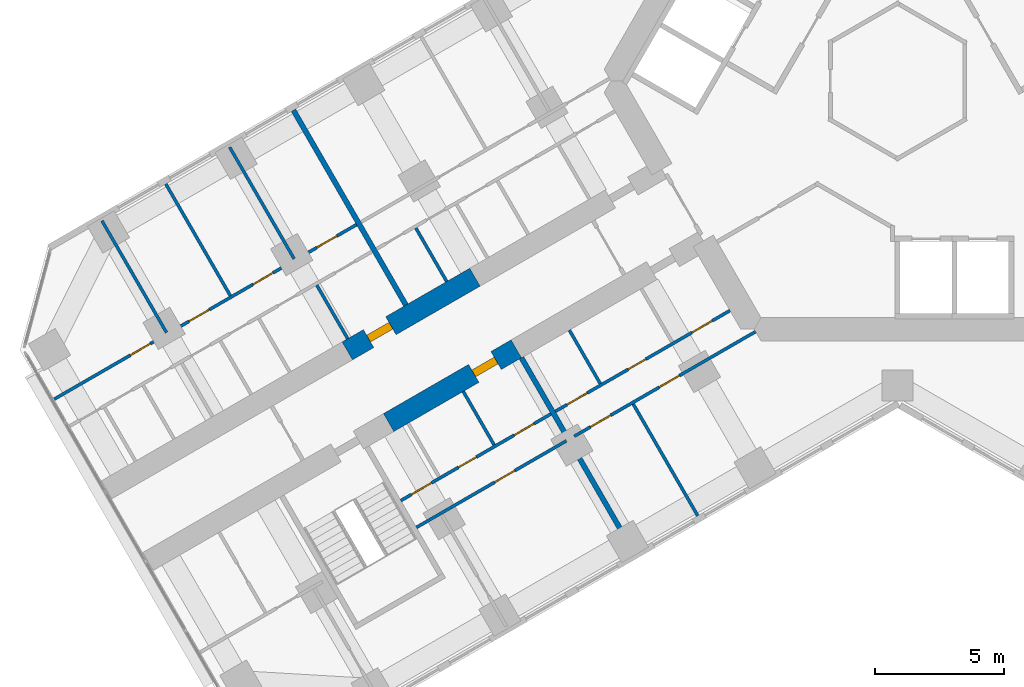
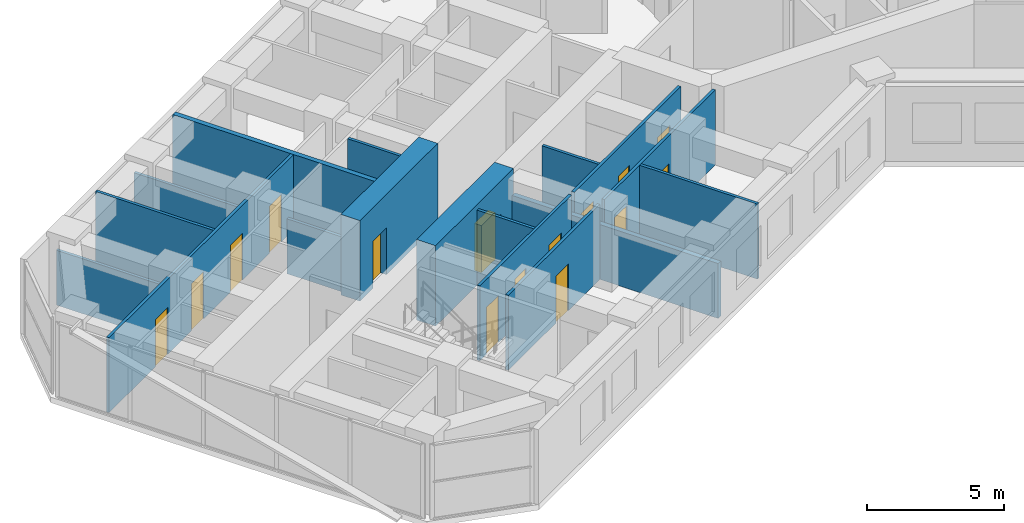
# One storey, part 11 of 20: 17 walls, 15 doors, 15 openings.
"""IFC4 building model written with IfcOpenShell, lengths in metres."""

from ifc_helpers import new_model, si_unit, direction, frame, frame_2d, origin, place, context, subcontext, project, spatial, rectangle, extrude, material, layer, layer_set, type_object, element, fill, save


model = new_model("IFC4")

# Units and contexts
model_context = context("Model", 3, precision=1e-05, world=origin(), true_north=direction((0.0, 1.0)))
body_context = subcontext(model_context, "Body", "Model", "MODEL_VIEW")
ifc_project = project(units=[si_unit("LENGTHUNIT", "METRE"), si_unit("AREAUNIT", "SQUARE_METRE"), si_unit("VOLUMEUNIT", "CUBIC_METRE"), si_unit("PLANEANGLEUNIT", "RADIAN"), si_unit("MASSUNIT", "GRAM", prefix="KILO")], contexts=[model_context])

# Site, building, storey
site_placement = place(None, origin())
site = spatial("IfcSite", under=ifc_project, at=site_placement, CompositionType="ELEMENT")
building_placement = place(site_placement, origin())
building = spatial("IfcBuilding", under=site, at=building_placement, Name="Kosmar Iwan School Tower", CompositionType="ELEMENT")
storey_placement = place(building_placement, frame((0.0, 0.0, 127.39990234375)))
storey = spatial("IfcBuildingStorey", under=building, at=storey_placement, Name="L31", CompositionType="ELEMENT", Elevation=127.39990234375)

# Wall, opening, door
ifc_material_1 = material(Name="Concrete C50/60", Category="concrete")
ifc_layer_1 = layer(ifc_material_1, 0.800048828125)
ifc_layer_set_1 = layer_set([ifc_layer_1], Name="Corridor buttress wall 800")
wall_type_1 = type_object("IfcWallType", Name="Corridor buttress wall 800", PredefinedType="SHEAR", material=ifc_layer_set_1)
wall_1_placement = place(storey_placement, frame((-14.7451171875, -10.360595703125, 0.0), z_axis=(0.0, 0.0, 1.0), x_axis=(-0.866015111908, -0.50001782563, 0.0)))
wall_1 = element("IfcWall", 1, at=wall_1_placement, inside=storey, type_object=wall_type_1, Name="Corridor wall BL bay 2", PredefinedType="SHEAR", context=body_context, shape_type="SweptSolid", body=[
    extrude(rectangle(XDim=5.699951171875, YDim=0.800048828125, at=frame_2d((2.85009765625, 0.0))), origin(), (0.0, 0.0, 1.0), 3.60009765625),
])
opening_1_placement = place(wall_1_placement, frame((0.89990234375, 0.0, 0.0)))
opening_1 = element("IfcOpeningElement", 2, at=opening_1_placement, cuts=wall_1, Name="Opening D1", PredefinedType="OPENING", context=body_context, shape_type="SweptSolid", body=[
    extrude(rectangle(XDim=1.0, YDim=2.10009765625, at=frame_2d((0.5, 1.050048828125))), frame((0.0, 0.412109375, 0.0), z_axis=(0.0, -1.0, 0.0), x_axis=(1.0, 0.0, 0.0)), (0.0, 0.0, 1.0), 0.823974609375),
])
ifc_material_2 = material(Name="Timber fire door in steel frame", Category="steel")
door_type_1 = type_object("IfcDoorType", Name="Flat entrance door 1000x2100", OperationType="SINGLE_SWING_LEFT", PredefinedType="DOOR", material=ifc_material_2)
door_1_placement = place(opening_1_placement, origin())
door_1 = element("IfcDoor", 3, at=door_1_placement, inside=storey, type_object=door_type_1, Name="Flat L31-BL2 entrance door", OperationType="SINGLE_SWING_RIGHT", OverallHeight=2.10009765625, OverallWidth=1.0, PredefinedType="DOOR", context=body_context, shape_type="SweptSolid", body=[
    extrude(rectangle(XDim=1.0, YDim=2.10009765625, at=frame_2d((0.5, 1.050048828125))), frame((0.0, 0.14990234375, 0.0), z_axis=(0.0, -1.0, 0.0), x_axis=(1.0, 0.0, 0.0)), (0.0, 0.0, 1.0), 0.300048828125),
])
fill(opening_1, door_1)

wall_2_placement = place(storey_placement, frame((-16.34521484375, -7.58935546875, 0.0), z_axis=(0.0, 0.0, 1.0), x_axis=(-0.866015111908, -0.50001782563, 0.0)))
wall_2 = element("IfcWall", 4, at=wall_2_placement, inside=storey, type_object=wall_type_1, Name="Corridor wall BR bay 2", PredefinedType="SHEAR", context=body_context, shape_type="SweptSolid", body=[
    extrude(rectangle(XDim=5.699951171875, YDim=0.800048828125, at=frame_2d((2.85009765625, 0.0))), origin(), (0.0, 0.0, 1.0), 3.60009765625),
])
opening_2_placement = place(wall_2_placement, frame((3.75, 0.0, 0.0)))
opening_2 = element("IfcOpeningElement", 5, at=opening_2_placement, cuts=wall_2, Name="Opening D1", PredefinedType="OPENING", context=body_context, shape_type="SweptSolid", body=[
    extrude(rectangle(XDim=1.0, YDim=2.10009765625, at=frame_2d((0.5, 1.050048828125))), frame((0.0, 0.412109375, 0.0), z_axis=(0.0, -1.0, 0.0), x_axis=(1.0, 0.0, 0.0)), (0.0, 0.0, 1.0), 0.823974609375),
])
door_2_placement = place(opening_2_placement, origin())
door_2 = element("IfcDoor", 6, at=door_2_placement, inside=storey, type_object=door_type_1, Name="Flat L31-BR2 entrance door", OperationType="SINGLE_SWING_RIGHT", OverallHeight=2.10009765625, OverallWidth=1.0, PredefinedType="DOOR", context=body_context, shape_type="SweptSolid", body=[
    extrude(rectangle(XDim=1.0, YDim=2.10009765625, at=frame_2d((0.5, 1.050048828125))), frame((0.0, 0.14990234375, 0.0), z_axis=(0.0, -1.0, 0.0), x_axis=(1.0, 0.0, 0.0)), (0.0, 0.0, 1.0), 0.300048828125),
])
fill(opening_2, door_2)

# Wall, openings, doors
ifc_material_3 = material(Name="Gypsum board on steel studs", Category="steel")
ifc_layer_2 = layer(ifc_material_3, 0.1201171875)
ifc_layer_set_2 = layer_set([ifc_layer_2], Name="Dwelling partition 120")
wall_type_2 = type_object("IfcWallType", Name="Dwelling partition 120", PredefinedType="PARTITIONING", material=ifc_layer_set_2)
wall_3_placement = place(storey_placement, frame((-6.478515625, -8.87890625, 0.0), z_axis=(0.0, 0.0, 1.0), x_axis=(-0.866034953203, -0.499983459557, 0.0)))
wall_3 = element("IfcWall", 7, at=wall_3_placement, inside=storey, type_object=wall_type_2, Name="Partition L31-BL1-W1", PredefinedType="PARTITIONING", context=body_context, shape_type="SweptSolid", body=[
    extrude(rectangle(XDim=7.800048828125, YDim=0.1201171875, at=frame_2d((3.89990234375, 0.0))), origin(), (0.0, 0.0, 1.0), 3.35009765625),
])
opening_3_placement = place(wall_3_placement, frame((0.800048828125, 0.0, 0.0)))
opening_3 = element("IfcOpeningElement", 8, at=opening_3_placement, cuts=wall_3, Name="Opening D2", PredefinedType="OPENING", context=body_context, shape_type="SweptSolid", body=[
    extrude(rectangle(XDim=0.89990234375, YDim=2.10009765625, at=frame_2d((0.449951171875, 1.050048828125))), frame((0.0, 0.072021484375, 0.0), z_axis=(0.0, -1.0, 0.0), x_axis=(1.0, 0.0, 0.0)), (0.0, 0.0, 1.0), 0.14404296875),
])
opening_4_placement = place(wall_3_placement, frame((3.755126953125, 0.0, 0.0)))
opening_4 = element("IfcOpeningElement", 9, at=opening_4_placement, cuts=wall_3, Name="Opening D3", PredefinedType="OPENING", context=body_context, shape_type="SweptSolid", body=[
    extrude(rectangle(XDim=0.800048828125, YDim=2.10009765625, at=frame_2d((0.39990234375, 1.050048828125))), frame((0.0, 0.072021484375, 0.0), z_axis=(0.0, -1.0, 0.0), x_axis=(1.0, 0.0, 0.0)), (0.0, 0.0, 1.0), 0.14404296875),
])
opening_5_placement = place(wall_3_placement, frame((6.380126953125, 0.0, 0.0)))
opening_5 = element("IfcOpeningElement", 10, at=opening_5_placement, cuts=wall_3, Name="Opening D2", PredefinedType="OPENING", context=body_context, shape_type="SweptSolid", body=[
    extrude(rectangle(XDim=0.89990234375, YDim=2.10009765625, at=frame_2d((0.449951171875, 1.050048828125))), frame((0.0, 0.072021484375, 0.0), z_axis=(0.0, -1.0, 0.0), x_axis=(1.0, 0.0, 0.0)), (0.0, 0.0, 1.0), 0.14404296875),
])
ifc_material_4 = material(Name="Timber door in timber frame", Category="wood")
door_type_2 = type_object("IfcDoorType", Name="Internal door 900x2100", OperationType="SINGLE_SWING_LEFT", PredefinedType="DOOR", material=ifc_material_4)
door_3_placement = place(opening_3_placement, origin())
door_3 = element("IfcDoor", 11, at=door_3_placement, inside=storey, type_object=door_type_2, Name="Entrance hall door L31-BL1-S1", OperationType="SINGLE_SWING_LEFT", OverallHeight=2.10009765625, OverallWidth=0.89990234375, PredefinedType="DOOR", context=body_context, shape_type="SweptSolid", body=[
    extrude(rectangle(XDim=0.89990234375, YDim=2.10009765625, at=frame_2d((0.449951171875, 1.050048828125))), frame((0.0, 0.02490234375, 0.0), z_axis=(0.0, -1.0, 0.0), x_axis=(1.0, 0.0, 0.0)), (0.0, 0.0, 1.0), 0.050048828125),
])
fill(opening_3, door_3)
door_4_placement = place(opening_5_placement, origin())
door_4 = element("IfcDoor", 12, at=door_4_placement, inside=storey, type_object=door_type_2, Name="Pantry door L31-BL1-S3", OperationType="SINGLE_SWING_RIGHT", OverallHeight=2.10009765625, OverallWidth=0.89990234375, PredefinedType="DOOR", context=body_context, shape_type="SweptSolid", body=[
    extrude(rectangle(XDim=0.89990234375, YDim=2.10009765625, at=frame_2d((0.449951171875, 1.050048828125))), frame((0.0, 0.02490234375, 0.0), z_axis=(0.0, -1.0, 0.0), x_axis=(1.0, 0.0, 0.0)), (0.0, 0.0, 1.0), 0.050048828125),
])
fill(opening_5, door_4)
ifc_material_5 = material(Name="Timber door in timber frame", Category="wood")
door_type_3 = type_object("IfcDoorType", Name="Sanitary room door 800x2100", OperationType="SINGLE_SWING_LEFT", PredefinedType="DOOR", material=ifc_material_5)
door_5_placement = place(opening_4_placement, origin())
door_5 = element("IfcDoor", 13, at=door_5_placement, inside=storey, type_object=door_type_3, Name="Bathroom door L31-BL1-S2", OperationType="SINGLE_SWING_RIGHT", OverallHeight=2.10009765625, OverallWidth=0.800048828125, PredefinedType="DOOR", context=body_context, shape_type="SweptSolid", body=[
    extrude(rectangle(XDim=0.800048828125, YDim=2.10009765625, at=frame_2d((0.39990234375, 1.050048828125))), frame((0.0, 0.02490234375, 0.0), z_axis=(0.0, -1.0, 0.0), x_axis=(1.0, 0.0, 0.0)), (0.0, 0.0, 1.0), 0.050048828125),
])
fill(opening_4, door_5)

wall_4_placement = place(storey_placement, frame((-5.48876953125, -9.693115234375, 0.0), z_axis=(0.0, 0.0, 1.0), x_axis=(-0.866025472755, -0.499999880539, 0.0)))
wall_4 = element("IfcWall", 14, at=wall_4_placement, inside=storey, type_object=wall_type_2, Name="Partition L31-BL1-W2", PredefinedType="PARTITIONING", context=body_context, shape_type="SweptSolid", body=[
    extrude(rectangle(XDim=8.10009765625, YDim=0.1201171875, at=frame_2d((4.050048828125, 0.0))), origin(), (0.0, 0.0, 1.0), 3.35009765625),
])
opening_6_placement = place(wall_4_placement, frame((3.39990234375, 0.0, 0.0)))
opening_6 = element("IfcOpeningElement", 15, at=opening_6_placement, cuts=wall_4, Name="Opening D2", PredefinedType="OPENING", context=body_context, shape_type="SweptSolid", body=[
    extrude(rectangle(XDim=0.89990234375, YDim=2.10009765625, at=frame_2d((0.449951171875, 1.050048828125))), frame((0.0, 0.072021484375, 0.0), z_axis=(0.0, -1.0, 0.0), x_axis=(1.0, 0.0, 0.0)), (0.0, 0.0, 1.0), 0.14404296875),
])
opening_7_placement = place(wall_4_placement, frame((6.47509765625, 0.0, 0.0)))
opening_7 = element("IfcOpeningElement", 16, at=opening_7_placement, cuts=wall_4, Name="Opening D2", PredefinedType="OPENING", context=body_context, shape_type="SweptSolid", body=[
    extrude(rectangle(XDim=0.89990234375, YDim=2.10009765625, at=frame_2d((0.449951171875, 1.050048828125))), frame((0.0, 0.072021484375, 0.0), z_axis=(0.0, -1.0, 0.0), x_axis=(1.0, 0.0, 0.0)), (0.0, 0.0, 1.0), 0.14404296875),
])
door_6_placement = place(opening_6_placement, origin())
door_6 = element("IfcDoor", 17, at=door_6_placement, inside=storey, type_object=door_type_2, Name="Family room and kitchen door L31-BL1-F1", OperationType="SINGLE_SWING_RIGHT", OverallHeight=2.10009765625, OverallWidth=0.89990234375, PredefinedType="DOOR", context=body_context, shape_type="SweptSolid", body=[
    extrude(rectangle(XDim=0.89990234375, YDim=2.10009765625, at=frame_2d((0.449951171875, 1.050048828125))), frame((0.0, 0.02490234375, 0.0), z_axis=(0.0, -1.0, 0.0), x_axis=(1.0, 0.0, 0.0)), (0.0, 0.0, 1.0), 0.050048828125),
])
fill(opening_6, door_6)
door_7_placement = place(opening_7_placement, origin())
door_7 = element("IfcDoor", 18, at=door_7_placement, inside=storey, type_object=door_type_2, Name="Bedroom 1 door L31-BL1-F2", OperationType="SINGLE_SWING_RIGHT", OverallHeight=2.10009765625, OverallWidth=0.89990234375, PredefinedType="DOOR", context=body_context, shape_type="SweptSolid", body=[
    extrude(rectangle(XDim=0.89990234375, YDim=2.10009765625, at=frame_2d((0.449951171875, 1.050048828125))), frame((0.0, 0.02490234375, 0.0), z_axis=(0.0, -1.0, 0.0), x_axis=(1.0, 0.0, 0.0)), (0.0, 0.0, 1.0), 0.050048828125),
])
fill(opening_7, door_7)

# Walls
wall_5_placement = place(storey_placement, frame((-10.221923828125, -12.4951171875, 0.0), z_axis=(0.0, 0.0, 1.0), x_axis=(0.499996339024, -0.86602751744, 0.0)))
element("IfcWall", 19, at=wall_5_placement, inside=storey, type_object=wall_type_2, Name="Partition L31-BL1-X1", PredefinedType="PARTITIONING", context=body_context, shape_type="SweptSolid", body=[
    extrude(rectangle(XDim=4.98974609375, YDim=0.1201171875, at=frame_2d((2.494873046875, 0.0))), origin(), (0.0, 0.0, 1.0), 3.35009765625),
])
wall_6_placement = place(storey_placement, frame((-12.69189453125, -9.636962890625, 0.0), z_axis=(0.0, 0.0, 1.0), x_axis=(0.500017192868, -0.86601547725, 0.0)))
element("IfcWall", 20, at=wall_6_placement, inside=storey, type_object=wall_type_2, Name="Partition L31-BL1-Y2", PredefinedType="PARTITIONING", context=body_context, shape_type="SweptSolid", body=[
    extrude(rectangle(XDim=2.39013671875, YDim=0.1201171875, at=frame_2d((1.195068359375, 0.0))), origin(), (0.0, 0.0, 1.0), 3.35009765625),
])

# Wall, openings, doors
wall_7_placement = place(storey_placement, frame((-13.40673828125, -12.87890625, 0.0), z_axis=(0.0, 0.0, 1.0), x_axis=(-0.866039349182, -0.499975845085, 0.0)))
wall_7 = element("IfcWall", 21, at=wall_7_placement, inside=storey, type_object=wall_type_2, Name="Partition L31-BL2-W1", PredefinedType="PARTITIONING", context=body_context, shape_type="SweptSolid", body=[
    extrude(rectangle(XDim=6.699951171875, YDim=0.1201171875, at=frame_2d((3.35009765625, 0.0))), origin(), (0.0, 0.0, 1.0), 3.35009765625),
])
opening_8_placement = place(wall_7_placement, frame((0.75, 0.0, 0.0)))
opening_8 = element("IfcOpeningElement", 22, at=opening_8_placement, cuts=wall_7, Name="Opening D2", PredefinedType="OPENING", context=body_context, shape_type="SweptSolid", body=[
    extrude(rectangle(XDim=0.89990234375, YDim=2.10009765625, at=frame_2d((0.449951171875, 1.050048828125))), frame((0.0, 0.072021484375, 0.0), z_axis=(0.0, -1.0, 0.0), x_axis=(1.0, 0.0, 0.0)), (0.0, 0.0, 1.0), 0.14404296875),
])
opening_9_placement = place(wall_7_placement, frame((3.330078125, 0.0, 0.0)))
opening_9 = element("IfcOpeningElement", 23, at=opening_9_placement, cuts=wall_7, Name="Opening D3", PredefinedType="OPENING", context=body_context, shape_type="SweptSolid", body=[
    extrude(rectangle(XDim=0.800048828125, YDim=2.10009765625, at=frame_2d((0.39990234375, 1.050048828125))), frame((0.0, 0.072021484375, 0.0), z_axis=(0.0, -1.0, 0.0), x_axis=(1.0, 0.0, 0.0)), (0.0, 0.0, 1.0), 0.14404296875),
])
opening_10_placement = place(wall_7_placement, frame((5.330078125, 0.0, 0.0)))
opening_10 = element("IfcOpeningElement", 24, at=opening_10_placement, cuts=wall_7, Name="Opening D2", PredefinedType="OPENING", context=body_context, shape_type="SweptSolid", body=[
    extrude(rectangle(XDim=0.89990234375, YDim=2.10009765625, at=frame_2d((0.449951171875, 1.050048828125))), frame((0.0, 0.072021484375, 0.0), z_axis=(0.0, -1.0, 0.0), x_axis=(1.0, 0.0, 0.0)), (0.0, 0.0, 1.0), 0.14404296875),
])
door_8_placement = place(opening_8_placement, origin())
door_8 = element("IfcDoor", 25, at=door_8_placement, inside=storey, type_object=door_type_2, Name="Entrance hall door L31-BL2-S1", OperationType="SINGLE_SWING_LEFT", OverallHeight=2.10009765625, OverallWidth=0.89990234375, PredefinedType="DOOR", context=body_context, shape_type="SweptSolid", body=[
    extrude(rectangle(XDim=0.89990234375, YDim=2.10009765625, at=frame_2d((0.449951171875, 1.050048828125))), frame((0.0, 0.02490234375, 0.0), z_axis=(0.0, -1.0, 0.0), x_axis=(1.0, 0.0, 0.0)), (0.0, 0.0, 1.0), 0.050048828125),
])
fill(opening_8, door_8)
door_9_placement = place(opening_10_placement, frame((0.89990234375, 0.0, 0.0), z_axis=(0.0, 0.0, 1.0), x_axis=(-1.0, 0.0, 0.0)))
door_9 = element("IfcDoor", 26, at=door_9_placement, inside=storey, type_object=door_type_2, Name="Pantry door L31-BL2-S3", OperationType="SINGLE_SWING_LEFT", OverallHeight=2.10009765625, OverallWidth=0.89990234375, PredefinedType="DOOR", context=body_context, shape_type="SweptSolid", body=[
    extrude(rectangle(XDim=0.89990234375, YDim=2.10009765625, at=frame_2d((0.449951171875, 1.050048828125))), frame((0.0, 0.02490234375, 0.0), z_axis=(0.0, -1.0, 0.0), x_axis=(1.0, 0.0, 0.0)), (0.0, 0.0, 1.0), 0.050048828125),
])
fill(opening_10, door_9)
door_10_placement = place(opening_9_placement, origin())
door_10 = element("IfcDoor", 27, at=door_10_placement, inside=storey, type_object=door_type_3, Name="Bathroom door L31-BL2-S2", OperationType="SINGLE_SWING_RIGHT", OverallHeight=2.10009765625, OverallWidth=0.800048828125, PredefinedType="DOOR", context=body_context, shape_type="SweptSolid", body=[
    extrude(rectangle(XDim=0.800048828125, YDim=2.10009765625, at=frame_2d((0.39990234375, 1.050048828125))), frame((0.0, 0.02490234375, 0.0), z_axis=(0.0, -1.0, 0.0), x_axis=(1.0, 0.0, 0.0)), (0.0, 0.0, 1.0), 0.050048828125),
])
fill(opening_9, door_10)

# Wall, opening, door
wall_8_placement = place(storey_placement, frame((-12.806640625, -13.91796875, 0.0), z_axis=(0.0, 0.0, 1.0), x_axis=(-0.866023571113, -0.500003174267, 0.0)))
wall_8 = element("IfcWall", 28, at=wall_8_placement, inside=storey, type_object=wall_type_2, Name="Partition L31-BL2-W2", PredefinedType="PARTITIONING", context=body_context, shape_type="SweptSolid", body=[
    extrude(rectangle(XDim=6.7001953125, YDim=0.1201171875, at=frame_2d((3.35009765625, 0.0))), origin(), (0.0, 0.0, 1.0), 3.35009765625),
])
opening_11_placement = place(wall_8_placement, frame((2.300048828125, 0.0, 0.0)))
opening_11 = element("IfcOpeningElement", 29, at=opening_11_placement, cuts=wall_8, Name="Opening D2", PredefinedType="OPENING", context=body_context, shape_type="SweptSolid", body=[
    extrude(rectangle(XDim=0.89990234375, YDim=2.10009765625, at=frame_2d((0.449951171875, 1.050048828125))), frame((0.0, 0.072021484375, 0.0), z_axis=(0.0, -1.0, 0.0), x_axis=(1.0, 0.0, 0.0)), (0.0, 0.0, 1.0), 0.14404296875),
])
door_11_placement = place(opening_11_placement, origin())
door_11 = element("IfcDoor", 30, at=door_11_placement, inside=storey, type_object=door_type_2, Name="Studio living room and kitchen door L31-BL2-F1", OperationType="SINGLE_SWING_LEFT", OverallHeight=2.10009765625, OverallWidth=0.89990234375, PredefinedType="DOOR", context=body_context, shape_type="SweptSolid", body=[
    extrude(rectangle(XDim=0.89990234375, YDim=2.10009765625, at=frame_2d((0.449951171875, 1.050048828125))), frame((0.0, 0.02490234375, 0.0), z_axis=(0.0, -1.0, 0.0), x_axis=(1.0, 0.0, 0.0)), (0.0, 0.0, 1.0), 0.050048828125),
])
fill(opening_11, door_11)

# Walls
wall_9_placement = place(storey_placement, frame((-16.796875, -12.007080078125, 0.0), z_axis=(0.0, 0.0, 1.0), x_axis=(0.500017192868, -0.86601547725, 0.0)))
element("IfcWall", 31, at=wall_9_placement, inside=storey, type_object=wall_type_2, Name="Partition L31-BL2-Y1", PredefinedType="PARTITIONING", context=body_context, shape_type="SweptSolid", body=[
    extrude(rectangle(XDim=2.39013671875, YDim=0.1201171875, at=frame_2d((1.195068359375, 0.0))), origin(), (0.0, 0.0, 1.0), 3.35009765625),
])
wall_10_placement = place(storey_placement, frame((-17.435302734375, -7.7568359375, 0.0), z_axis=(0.0, 0.0, 1.0), x_axis=(-0.499940577336, 0.866059708757, 0.0)))
element("IfcWall", 32, at=wall_10_placement, inside=storey, type_object=wall_type_2, Name="Partition L31-BR1-Y4", PredefinedType="PARTITIONING", context=body_context, shape_type="SweptSolid", body=[
    extrude(rectangle(XDim=2.389892578125, YDim=0.1201171875, at=frame_2d((1.19482421875, 0.0))), origin(), (0.0, 0.0, 1.0), 3.35009765625),
])

# Wall, openings, doors
wall_11_placement = place(storey_placement, frame((-20.9248046875, -5.556884765625, 0.0), z_axis=(0.0, 0.0, 1.0), x_axis=(-0.866028025956, -0.499995458239, 0.0)))
wall_11 = element("IfcWall", 33, at=wall_11_placement, inside=storey, type_object=wall_type_2, Name="Partition L31-BR2-W2", PredefinedType="PARTITIONING", context=body_context, shape_type="SweptSolid", body=[
    extrude(rectangle(XDim=13.495361328125, YDim=0.1201171875, at=frame_2d((6.74755859375, 0.0))), origin(), (0.0, 0.0, 1.0), 3.35009765625),
])
opening_12_placement = place(wall_11_placement, frame((0.875, 0.0, 0.0)))
opening_12 = element("IfcOpeningElement", 34, at=opening_12_placement, cuts=wall_11, Name="Opening D2", PredefinedType="OPENING", context=body_context, shape_type="SweptSolid", body=[
    extrude(rectangle(XDim=0.89990234375, YDim=2.10009765625, at=frame_2d((0.449951171875, 1.050048828125))), frame((0.0, 0.072021484375, 0.0), z_axis=(0.0, -1.0, 0.0), x_axis=(1.0, 0.0, 0.0)), (0.0, 0.0, 1.0), 0.14404296875),
])
opening_13_placement = place(wall_11_placement, frame((3.72509765625, 0.0, 0.0)))
opening_13 = element("IfcOpeningElement", 35, at=opening_13_placement, cuts=wall_11, Name="Opening D2", PredefinedType="OPENING", context=body_context, shape_type="SweptSolid", body=[
    extrude(rectangle(XDim=0.89990234375, YDim=2.10009765625, at=frame_2d((0.449951171875, 1.050048828125))), frame((0.0, 0.072021484375, 0.0), z_axis=(0.0, -1.0, 0.0), x_axis=(1.0, 0.0, 0.0)), (0.0, 0.0, 1.0), 0.14404296875),
])
opening_14_placement = place(wall_11_placement, frame((6.574951171875, 0.0, 0.0)))
opening_14 = element("IfcOpeningElement", 36, at=opening_14_placement, cuts=wall_11, Name="Opening D2", PredefinedType="OPENING", context=body_context, shape_type="SweptSolid", body=[
    extrude(rectangle(XDim=0.89990234375, YDim=2.10009765625, at=frame_2d((0.449951171875, 1.050048828125))), frame((0.0, 0.072021484375, 0.0), z_axis=(0.0, -1.0, 0.0), x_axis=(1.0, 0.0, 0.0)), (0.0, 0.0, 1.0), 0.14404296875),
])
opening_15_placement = place(wall_11_placement, frame((9.199951171875, 0.0, 0.0)))
opening_15 = element("IfcOpeningElement", 37, at=opening_15_placement, cuts=wall_11, Name="Opening D2", PredefinedType="OPENING", context=body_context, shape_type="SweptSolid", body=[
    extrude(rectangle(XDim=0.89990234375, YDim=2.10009765625, at=frame_2d((0.449951171875, 1.050048828125))), frame((0.0, 0.072021484375, 0.0), z_axis=(0.0, -1.0, 0.0), x_axis=(1.0, 0.0, 0.0)), (0.0, 0.0, 1.0), 0.14404296875),
])
door_12_placement = place(opening_12_placement, origin())
door_12 = element("IfcDoor", 38, at=door_12_placement, inside=storey, type_object=door_type_2, Name="Bedroom 1 door L31-BR2-F1", OperationType="SINGLE_SWING_LEFT", OverallHeight=2.10009765625, OverallWidth=0.89990234375, PredefinedType="DOOR", context=body_context, shape_type="SweptSolid", body=[
    extrude(rectangle(XDim=0.89990234375, YDim=2.10009765625, at=frame_2d((0.449951171875, 1.050048828125))), frame((0.0, 0.02490234375, 0.0), z_axis=(0.0, -1.0, 0.0), x_axis=(1.0, 0.0, 0.0)), (0.0, 0.0, 1.0), 0.050048828125),
])
fill(opening_12, door_12)
door_13_placement = place(opening_13_placement, origin())
door_13 = element("IfcDoor", 39, at=door_13_placement, inside=storey, type_object=door_type_2, Name="Kitchen and dining room door L31-BR2-F2", OperationType="SINGLE_SWING_LEFT", OverallHeight=2.10009765625, OverallWidth=0.89990234375, PredefinedType="DOOR", context=body_context, shape_type="SweptSolid", body=[
    extrude(rectangle(XDim=0.89990234375, YDim=2.10009765625, at=frame_2d((0.449951171875, 1.050048828125))), frame((0.0, 0.02490234375, 0.0), z_axis=(0.0, -1.0, 0.0), x_axis=(1.0, 0.0, 0.0)), (0.0, 0.0, 1.0), 0.050048828125),
])
fill(opening_13, door_13)
door_14_placement = place(opening_14_placement, origin())
door_14 = element("IfcDoor", 40, at=door_14_placement, inside=storey, type_object=door_type_2, Name="Bedroom 2 door L31-BR2-F3", OperationType="SINGLE_SWING_RIGHT", OverallHeight=2.10009765625, OverallWidth=0.89990234375, PredefinedType="DOOR", context=body_context, shape_type="SweptSolid", body=[
    extrude(rectangle(XDim=0.89990234375, YDim=2.10009765625, at=frame_2d((0.449951171875, 1.050048828125))), frame((0.0, 0.02490234375, 0.0), z_axis=(0.0, -1.0, 0.0), x_axis=(1.0, 0.0, 0.0)), (0.0, 0.0, 1.0), 0.050048828125),
])
fill(opening_14, door_14)
door_15_placement = place(opening_15_placement, origin())
door_15 = element("IfcDoor", 41, at=door_15_placement, inside=storey, type_object=door_type_2, Name="Living room door L31-BR2-F4", OperationType="SINGLE_SWING_RIGHT", OverallHeight=2.10009765625, OverallWidth=0.89990234375, PredefinedType="DOOR", context=body_context, shape_type="SweptSolid", body=[
    extrude(rectangle(XDim=0.89990234375, YDim=2.10009765625, at=frame_2d((0.449951171875, 1.050048828125))), frame((0.0, 0.02490234375, 0.0), z_axis=(0.0, -1.0, 0.0), x_axis=(1.0, 0.0, 0.0)), (0.0, 0.0, 1.0), 0.050048828125),
])
fill(opening_15, door_15)

# Walls
wall_12_placement = place(storey_placement, frame((-23.33642578125, -6.8798828125, 0.0), z_axis=(0.0, 0.0, 1.0), x_axis=(-0.500033033937, 0.866006330792, 0.0)))
element("IfcWall", 42, at=wall_12_placement, inside=storey, type_object=wall_type_2, Name="Partition L31-BR2-X1", PredefinedType="PARTITIONING", context=body_context, shape_type="SweptSolid", body=[
    extrude(rectangle(XDim=4.989990234375, YDim=0.1201171875, at=frame_2d((2.4951171875, 0.0))), origin(), (0.0, 0.0, 1.0), 2.4501953125),
])
wall_13_placement = place(storey_placement, frame((-25.8046875, -8.304931640625, 0.0), z_axis=(0.0, 0.0, 1.0), x_axis=(-0.499975153383, 0.86603974851, 0.0)))
element("IfcWall", 43, at=wall_13_placement, inside=storey, type_object=wall_type_2, Name="Partition L31-BR2-X2", PredefinedType="PARTITIONING", context=body_context, shape_type="SweptSolid", body=[
    extrude(rectangle(XDim=4.989990234375, YDim=0.1201171875, at=frame_2d((2.4951171875, 0.0))), origin(), (0.0, 0.0, 1.0), 3.35009765625),
])
wall_14_placement = place(storey_placement, frame((-28.27294921875, -9.72998046875, 0.0), z_axis=(0.0, 0.0, 1.0), x_axis=(-0.499975153383, 0.86603974851, 0.0)))
element("IfcWall", 44, at=wall_14_placement, inside=storey, type_object=wall_type_2, Name="Partition L31-BR2-X3", PredefinedType="PARTITIONING", context=body_context, shape_type="SweptSolid", body=[
    extrude(rectangle(XDim=4.989990234375, YDim=0.1201171875, at=frame_2d((2.4951171875, 0.0))), origin(), (0.0, 0.0, 1.0), 2.4501953125),
])
wall_15_placement = place(storey_placement, frame((-21.264892578125, -9.968017578125, 0.0), z_axis=(0.0, 0.0, 1.0), x_axis=(-0.500017192868, 0.86601547725, 0.0)))
element("IfcWall", 45, at=wall_15_placement, inside=storey, type_object=wall_type_2, Name="Partition L31-BR2-Y1", PredefinedType="PARTITIONING", context=body_context, shape_type="SweptSolid", body=[
    extrude(rectangle(XDim=2.39013671875, YDim=0.1201171875, at=frame_2d((1.195068359375, 0.0))), origin(), (0.0, 0.0, 1.0), 2.4501953125),
])
ifc_material_6 = material(Name="Concrete block masonry", Category="masonry")
ifc_layer_3 = layer(ifc_material_6, 0.199951171875)
ifc_layer_set_3 = layer_set([ifc_layer_3], Name="Party wall 200")
wall_type_3 = type_object("IfcWallType", Name="Party wall 200", PredefinedType="PARTITIONING", material=ifc_layer_set_3)
wall_16_placement = place(storey_placement, frame((-14.545166015625, -10.70703125, 0.0), z_axis=(0.0, 0.0, 1.0), x_axis=(0.500008278454, -0.866020624164, 0.0)))
element("IfcWall", 46, at=wall_16_placement, inside=storey, type_object=wall_type_3, Name="Partition L31-BL2-PW", PredefinedType="PARTITIONING", context=body_context, shape_type="SweptSolid", body=[
    extrude(rectangle(XDim=8.699951171875, YDim=0.199951171875, at=frame_2d((4.35009765625, 0.0))), origin(), (0.0, 0.0, 1.0), 2.4501953125),
])
wall_17_placement = place(storey_placement, frame((-19.013427734375, -8.66796875, 0.0), z_axis=(0.0, 0.0, 1.0), x_axis=(-0.499987231761, 0.866032775405, 0.0)))
element("IfcWall", 47, at=wall_17_placement, inside=storey, type_object=wall_type_3, Name="Partition L31-BR2-PW", PredefinedType="PARTITIONING", context=body_context, shape_type="SweptSolid", body=[
    extrude(rectangle(XDim=8.699951171875, YDim=0.199951171875, at=frame_2d((4.35009765625, 0.0))), origin(), (0.0, 0.0, 1.0), 3.35009765625),
])

save(model, "model.ifc")
